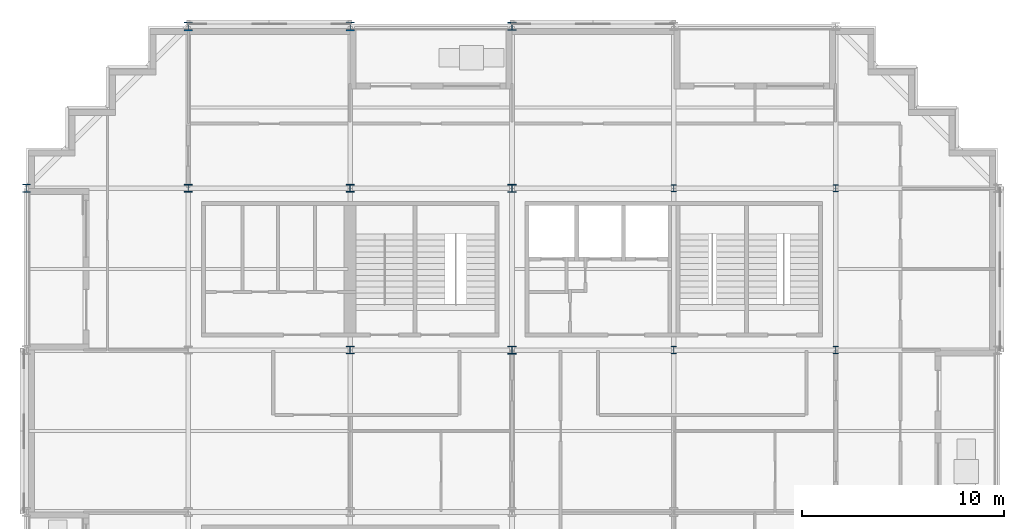
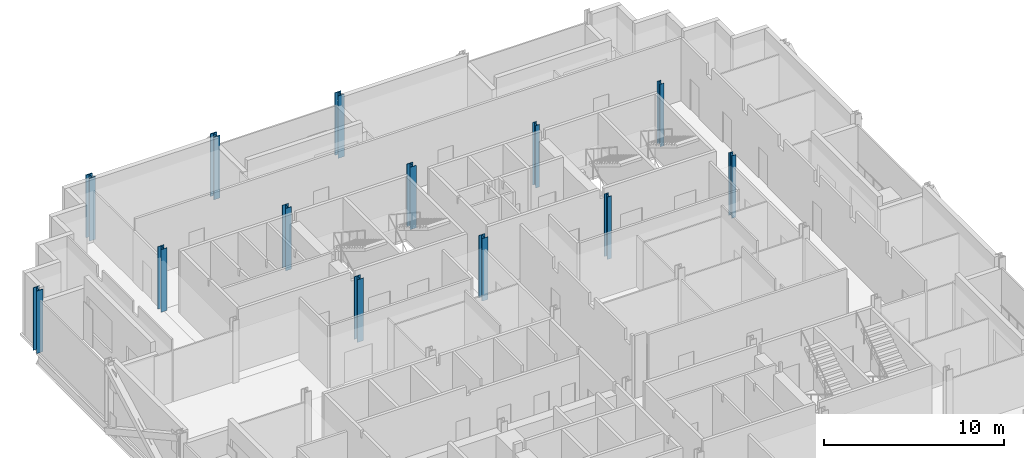
# One storey, part 2 of 15: 13 columns.
"""IFC4 building model written with IfcOpenShell, lengths in metres."""

from ifc_helpers import new_model, si_unit, direction, frame, origin, origin_2d, place, context, subcontext, project, spatial, i_section, extrude, material, material_profile, profile_set, type_object, element, save


model = new_model("IFC4")

# Units and contexts
model_context = context("Model", 3, precision=1e-05, world=origin(), true_north=direction((0.0, 1.0)))
body_context = subcontext(model_context, "Body", "Model", "MODEL_VIEW")
ifc_project = project(units=[si_unit("LENGTHUNIT", "METRE"), si_unit("AREAUNIT", "SQUARE_METRE"), si_unit("VOLUMEUNIT", "CUBIC_METRE"), si_unit("PLANEANGLEUNIT", "RADIAN"), si_unit("MASSUNIT", "GRAM", prefix="KILO")], contexts=[model_context])

# Site, building, storey
site_placement = place(None, origin())
site = spatial("IfcSite", under=ifc_project, at=site_placement, CompositionType="ELEMENT")
building_placement = place(site_placement, origin())
building = spatial("IfcBuilding", under=site, at=building_placement, Name="Immortelle Media Tower", CompositionType="ELEMENT")
storey_placement = place(building_placement, frame((0.0, 0.0, 92.0)))
storey = spatial("IfcBuildingStorey", under=building, at=storey_placement, Name="L17", CompositionType="ELEMENT", Elevation=92.0)

# Columns
ifc_material = material(Name="Steel ASTM A992 Gr 50", Category="steel")
ifc_material_profile_1 = material_profile(ifc_material, i_section(OverallWidth=0.39404296875, OverallDepth=0.3759765625, WebThickness=0.01708984375, FlangeThickness=0.028076171875, at=origin_2d()), Name="W14x145")
ifc_profile_set_1 = profile_set([ifc_material_profile_1], Name="Steel ASTM A992 Gr 50")
column_type_1 = type_object("IfcColumnType", Name="W14x145 column", PredefinedType="COLUMN", material=ifc_profile_set_1)
for number, where, z_axis, x_axis, name in (
    (1, (8.0, 40.0, 0.0), (0.0, 0.0, 1.0), (1.0, 0.0, 0.0), "Column 2/F"),
    (2, (16.0, 32.0, 0.0), (0.0, 0.0, 1.0), (1.0, 0.0, 0.0), "Column 3/E"),
    (3, (16.0, 40.0, 0.0), (0.0, 0.0, 1.0), (1.0, 0.0, 0.0), "Column 3/F"),
):
    element("IfcColumn", number, at=place(storey_placement, frame(where, z_axis=z_axis, x_axis=x_axis)), inside=storey, type_object=column_type_1, Name=name, PredefinedType="COLUMN", context=body_context, shape_type="SweptSolid", body=[
        extrude(i_section(OverallWidth=0.39404296875, OverallDepth=0.3759765625, WebThickness=0.01708984375, FlangeThickness=0.028076171875, at=origin_2d()), origin(), (0.0, 0.0, 1.0), 4.25),
    ])
ifc_material_profile_2 = material_profile(ifc_material, i_section(OverallWidth=0.39892578125, OverallDepth=0.385986328125, WebThickness=0.02099609375, FlangeThickness=0.032958984375, at=origin_2d()), Name="W14x176")
ifc_profile_set_2 = profile_set([ifc_material_profile_2], Name="Steel ASTM A992 Gr 50")
column_type_2 = type_object("IfcColumnType", Name="W14x176 column", PredefinedType="COLUMN", material=ifc_profile_set_2)
for number, where, z_axis, x_axis, name in (
    (4, (24.0, 32.0, 0.0), (0.0, 0.0, 1.0), (1.0, 0.0, 0.0), "Column 4/E"),
    (5, (24.0, 40.0, 0.0), (0.0, 0.0, 1.0), (1.0, 0.0, 0.0), "Column 4/F"),
    (6, (24.0, 48.0, 0.0), (0.0, 0.0, 1.0), (1.0, 0.0, 0.0), "Column 4/G"),
):
    element("IfcColumn", number, at=place(storey_placement, frame(where, z_axis=z_axis, x_axis=x_axis)), inside=storey, type_object=column_type_2, Name=name, PredefinedType="COLUMN", context=body_context, shape_type="SweptSolid", body=[
        extrude(i_section(OverallWidth=0.39892578125, OverallDepth=0.385986328125, WebThickness=0.02099609375, FlangeThickness=0.032958984375, at=origin_2d()), origin(), (0.0, 0.0, 1.0), 4.25),
    ])
ifc_material_profile_3 = material_profile(ifc_material, i_section(OverallWidth=0.40087890625, OverallDepth=0.39892578125, WebThickness=0.02490234375, FlangeThickness=0.0400390625, at=origin_2d()), Name="W14x211")
ifc_profile_set_3 = profile_set([ifc_material_profile_3], Name="Steel ASTM A992 Gr 50")
column_type_3 = type_object("IfcColumnType", Name="W14x211 column", PredefinedType="COLUMN", material=ifc_profile_set_3)
column_placement = place(storey_placement, frame((0.0, 40.0, 0.0), z_axis=(0.0, 0.0, 1.0), x_axis=(1.0, 0.0, 0.0)))
element("IfcColumn", 7, at=column_placement, inside=storey, type_object=column_type_3, Name="Column 1/F", PredefinedType="COLUMN", context=body_context, shape_type="SweptSolid", body=[
    extrude(i_section(OverallWidth=0.40087890625, OverallDepth=0.39892578125, WebThickness=0.02490234375, FlangeThickness=0.0400390625, at=origin_2d()), origin(), (0.0, 0.0, 1.0), 4.25),
])
ifc_material_profile_4 = material_profile(ifc_material, i_section(OverallWidth=0.410888671875, OverallDepth=0.43408203125, WebThickness=0.035888671875, FlangeThickness=0.056884765625, at=origin_2d()), Name="W14x311")
ifc_profile_set_4 = profile_set([ifc_material_profile_4], Name="Steel ASTM A992 Gr 50")
column_type_4 = type_object("IfcColumnType", Name="W14x311 column", PredefinedType="COLUMN", material=ifc_profile_set_4)
for number, where, z_axis, x_axis, name in (
    (8, (8.0, 48.0, 0.0), (0.0, 0.0, 1.0), (1.0, 0.0, 0.0), "Column 2/G"),
    (9, (16.0, 48.0, 0.0), (0.0, 0.0, 1.0), (1.0, 0.0, 0.0), "Column 3/G"),
):
    element("IfcColumn", number, at=place(storey_placement, frame(where, z_axis=z_axis, x_axis=x_axis)), inside=storey, type_object=column_type_4, Name=name, PredefinedType="COLUMN", context=body_context, shape_type="SweptSolid", body=[
        extrude(i_section(OverallWidth=0.410888671875, OverallDepth=0.43408203125, WebThickness=0.035888671875, FlangeThickness=0.056884765625, at=origin_2d()), origin(), (0.0, 0.0, 1.0), 4.25),
    ])
ifc_material_profile_5 = material_profile(ifc_material, i_section(OverallWidth=0.257080078125, OverallDepth=0.363037109375, WebThickness=0.012939453125, FlangeThickness=0.02197265625, at=origin_2d()), Name="W14x82")
ifc_profile_set_5 = profile_set([ifc_material_profile_5], Name="Steel ASTM A992 Gr 50")
column_type_5 = type_object("IfcColumnType", Name="W14x82 column", PredefinedType="COLUMN", material=ifc_profile_set_5)
for number, where, z_axis, x_axis, name in (
    (10, (32.0, 32.0, 0.0), (0.0, 0.0, 1.0), (1.0, 0.0, 0.0), "Column 5/E"),
    (11, (32.0, 40.0, 0.0), (0.0, 0.0, 1.0), (1.0, 0.0, 0.0), "Column 5/F"),
    (12, (40.0, 32.0, 0.0), (0.0, 0.0, 1.0), (1.0, 0.0, 0.0), "Column 6/E"),
    (13, (40.0, 40.0, 0.0), (0.0, 0.0, 1.0), (1.0, 0.0, 0.0), "Column 6/F"),
):
    element("IfcColumn", number, at=place(storey_placement, frame(where, z_axis=z_axis, x_axis=x_axis)), inside=storey, type_object=column_type_5, Name=name, PredefinedType="COLUMN", context=body_context, shape_type="SweptSolid", body=[
        extrude(i_section(OverallWidth=0.257080078125, OverallDepth=0.363037109375, WebThickness=0.012939453125, FlangeThickness=0.02197265625, at=origin_2d()), origin(), (0.0, 0.0, 1.0), 4.25),
    ])

save(model, "model.ifc")
